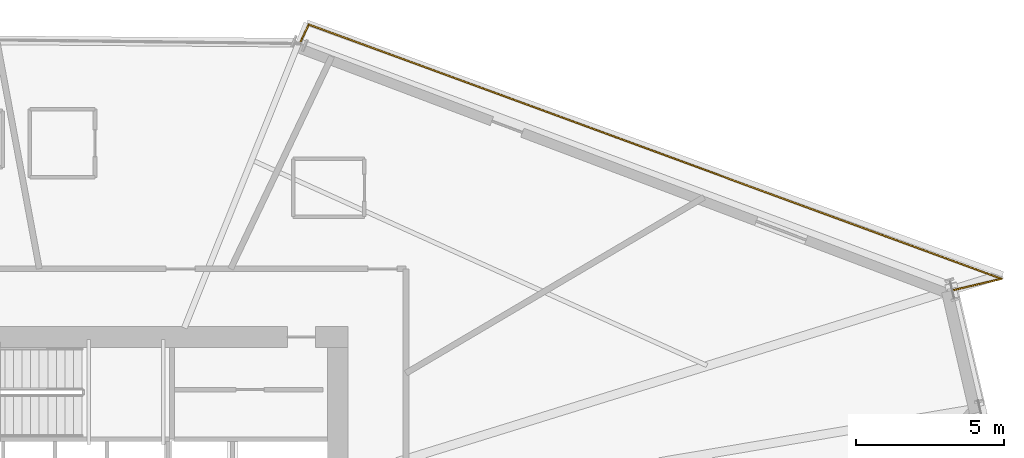
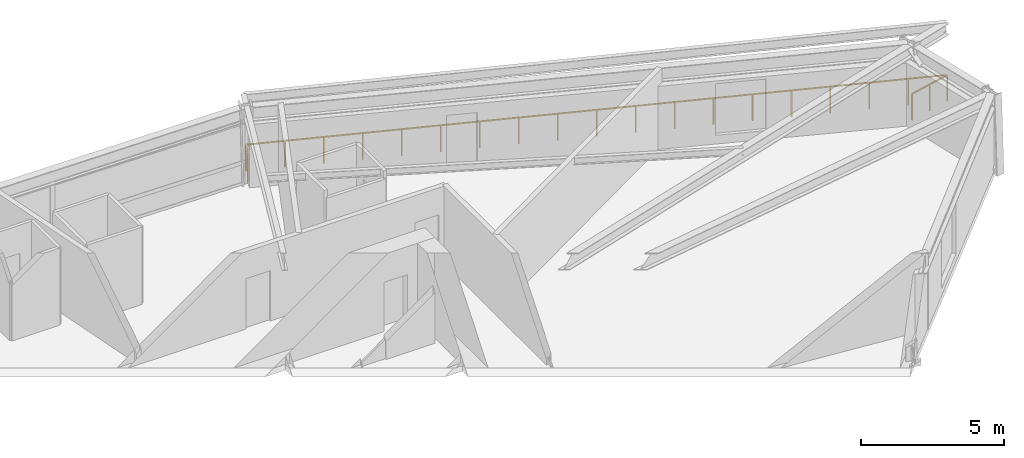
# One storey, part 21 of 21: 1 railing.
"""IFC4 building model written with IfcOpenShell, lengths in metres."""

from ifc_helpers import new_model, si_unit, direction, frame, origin, origin_2d, place, context, subcontext, project, spatial, rectangle, extrude, material, type_object, element, save


model = new_model("IFC4")

# Units and contexts
model_context = context("Model", 3, precision=1e-05, world=origin(), true_north=direction((0.0, 1.0)))
body_context = subcontext(model_context, "Body", "Model", "MODEL_VIEW")
ifc_project = project(units=[si_unit("LENGTHUNIT", "METRE"), si_unit("AREAUNIT", "SQUARE_METRE"), si_unit("VOLUMEUNIT", "CUBIC_METRE"), si_unit("PLANEANGLEUNIT", "RADIAN"), si_unit("MASSUNIT", "GRAM", prefix="KILO")], contexts=[model_context])

# Site, building, storey
site_placement = place(None, origin())
site = spatial("IfcSite", under=ifc_project, at=site_placement, CompositionType="ELEMENT")
building_placement = place(site_placement, origin())
building = spatial("IfcBuilding", under=site, at=building_placement, Name="Olszyna Solenne Hotel", CompositionType="ELEMENT")
storey_placement = place(building_placement, frame((0.0, 0.0, 91.5)))
storey = spatial("IfcBuildingStorey", under=building, at=storey_placement, Name="L23", CompositionType="ELEMENT", Elevation=91.5)

# Railing
ifc_material = material(Name="Anodised bronze aluminium", Category="aluminium")
railing_type = type_object("IfcRailingType", Name="GR-110", PredefinedType="BALUSTRADE", material=ifc_material)
railing_placement = place(storey_placement, frame((66.994140625, 35.62451171875, 0.0)))
element("IfcRailing", 1, at=railing_placement, inside=storey, type_object=railing_type, Name="Loggia balcony balustrade guard GR-L23-LG1", PredefinedType="BALUSTRADE", context=body_context, shape_type="SweptSolid", body=[
    extrude(rectangle(XDim=0.048095703125, YDim=0.048095703125, at=origin_2d()), frame((0.0, 0.0, 1.1259765625), z_axis=(0.973257974778, 0.229714854833, 0.0), x_axis=(-0.229714854833, 0.973257974778, 0.0)), (0.0, 0.0, 1.0), 1.69189453125),
    extrude(rectangle(XDim=0.048095703125, YDim=0.048095703125, at=origin_2d()), frame((1.646728515625, 0.388671875, 1.1259765625), z_axis=(-0.938731480345, 0.344649398389, 0.0), x_axis=(-0.344649398389, -0.938731480345, 0.0)), (0.0, 0.0, 1.0), 24.894287109375),
    extrude(rectangle(XDim=0.048095703125, YDim=0.048095703125, at=origin_2d()), frame((-21.722412109375, 8.968505859375, 1.1259765625), z_axis=(-0.422395411866, -0.906411670288, 0.0), x_axis=(0.906411670288, -0.422395411866, 0.0)), (0.0, 0.0, 1.0), 0.709228515625),
    extrude(rectangle(XDim=0.0419921875, YDim=0.0419921875, at=origin_2d()), origin(), (0.0, 0.0, 1.0), 1.101806640625),
    extrude(rectangle(XDim=0.0419921875, YDim=0.0419921875, at=origin_2d()), frame((0.8232421875, 0.1943359375, 0.0)), (0.0, 0.0, 1.0), 1.101806640625),
    extrude(rectangle(XDim=0.0419921875, YDim=0.0419921875, at=origin_2d()), frame((1.646728515625, 0.388671875, 0.0)), (0.0, 0.0, 1.0), 1.101806640625),
    extrude(rectangle(XDim=0.0419921875, YDim=0.0419921875, at=origin_2d()), frame((0.348388671875, 0.865234375, 0.0)), (0.0, 0.0, 1.0), 1.101806640625),
    extrude(rectangle(XDim=0.0419921875, YDim=0.0419921875, at=origin_2d()), frame((-0.949951171875, 1.342041015625, 0.0)), (0.0, 0.0, 1.0), 1.101806640625),
    extrude(rectangle(XDim=0.0419921875, YDim=0.0419921875, at=origin_2d()), frame((-2.248046875, 1.818603515625, 0.0)), (0.0, 0.0, 1.0), 1.101806640625),
    extrude(rectangle(XDim=0.0419921875, YDim=0.0419921875, at=origin_2d()), frame((-3.54638671875, 2.29541015625, 0.0)), (0.0, 0.0, 1.0), 1.101806640625),
    extrude(rectangle(XDim=0.0419921875, YDim=0.0419921875, at=origin_2d()), frame((-4.8447265625, 2.77197265625, 0.0)), (0.0, 0.0, 1.0), 1.101806640625),
    extrude(rectangle(XDim=0.0419921875, YDim=0.0419921875, at=origin_2d()), frame((-6.14306640625, 3.24853515625, 0.0)), (0.0, 0.0, 1.0), 1.101806640625),
    extrude(rectangle(XDim=0.0419921875, YDim=0.0419921875, at=origin_2d()), frame((-7.441162109375, 3.725341796875, 0.0)), (0.0, 0.0, 1.0), 1.101806640625),
    extrude(rectangle(XDim=0.0419921875, YDim=0.0419921875, at=origin_2d()), frame((-8.739501953125, 4.201904296875, 0.0)), (0.0, 0.0, 1.0), 1.101806640625),
    extrude(rectangle(XDim=0.0419921875, YDim=0.0419921875, at=origin_2d()), frame((-10.037841796875, 4.6787109375, 0.0)), (0.0, 0.0, 1.0), 1.101806640625),
    extrude(rectangle(XDim=0.0419921875, YDim=0.0419921875, at=origin_2d()), frame((-11.336181640625, 5.1552734375, 0.0)), (0.0, 0.0, 1.0), 1.101806640625),
    extrude(rectangle(XDim=0.0419921875, YDim=0.0419921875, at=origin_2d()), frame((-12.634521484375, 5.6318359375, 0.0)), (0.0, 0.0, 1.0), 1.101806640625),
    extrude(rectangle(XDim=0.0419921875, YDim=0.0419921875, at=origin_2d()), frame((-13.9326171875, 6.108642578125, 0.0)), (0.0, 0.0, 1.0), 1.101806640625),
    extrude(rectangle(XDim=0.0419921875, YDim=0.0419921875, at=origin_2d()), frame((-15.23095703125, 6.585205078125, 0.0)), (0.0, 0.0, 1.0), 1.101806640625),
    extrude(rectangle(XDim=0.0419921875, YDim=0.0419921875, at=origin_2d()), frame((-16.529296875, 7.061767578125, 0.0)), (0.0, 0.0, 1.0), 1.101806640625),
    extrude(rectangle(XDim=0.0419921875, YDim=0.0419921875, at=origin_2d()), frame((-17.82763671875, 7.53857421875, 0.0)), (0.0, 0.0, 1.0), 1.101806640625),
    extrude(rectangle(XDim=0.0419921875, YDim=0.0419921875, at=origin_2d()), frame((-19.125732421875, 8.01513671875, 0.0)), (0.0, 0.0, 1.0), 1.101806640625),
    extrude(rectangle(XDim=0.0419921875, YDim=0.0419921875, at=origin_2d()), frame((-20.424072265625, 8.491943359375, 0.0)), (0.0, 0.0, 1.0), 1.101806640625),
    extrude(rectangle(XDim=0.0419921875, YDim=0.0419921875, at=origin_2d()), frame((-21.722412109375, 8.968505859375, 0.0)), (0.0, 0.0, 1.0), 1.101806640625),
    extrude(rectangle(XDim=0.0419921875, YDim=0.0419921875, at=origin_2d()), frame((-22.02197265625, 8.32568359375, 0.0)), (0.0, 0.0, 1.0), 1.101806640625),
])

save(model, "model.ifc")
